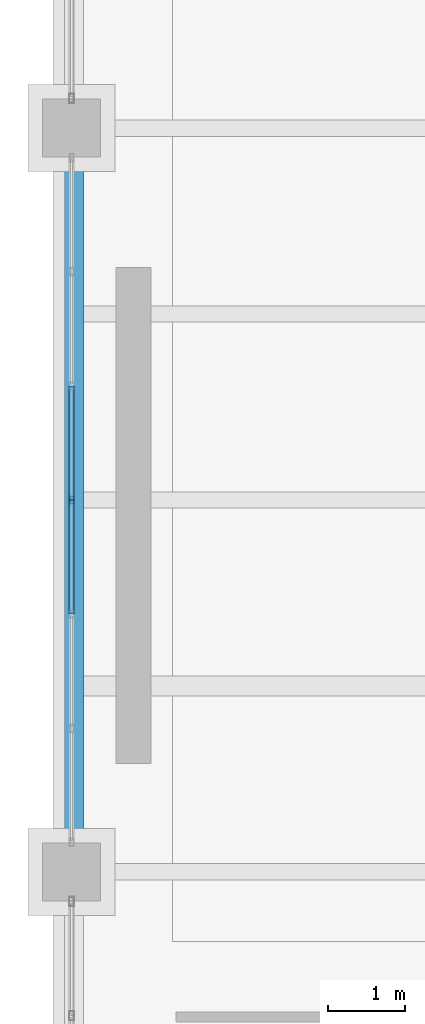
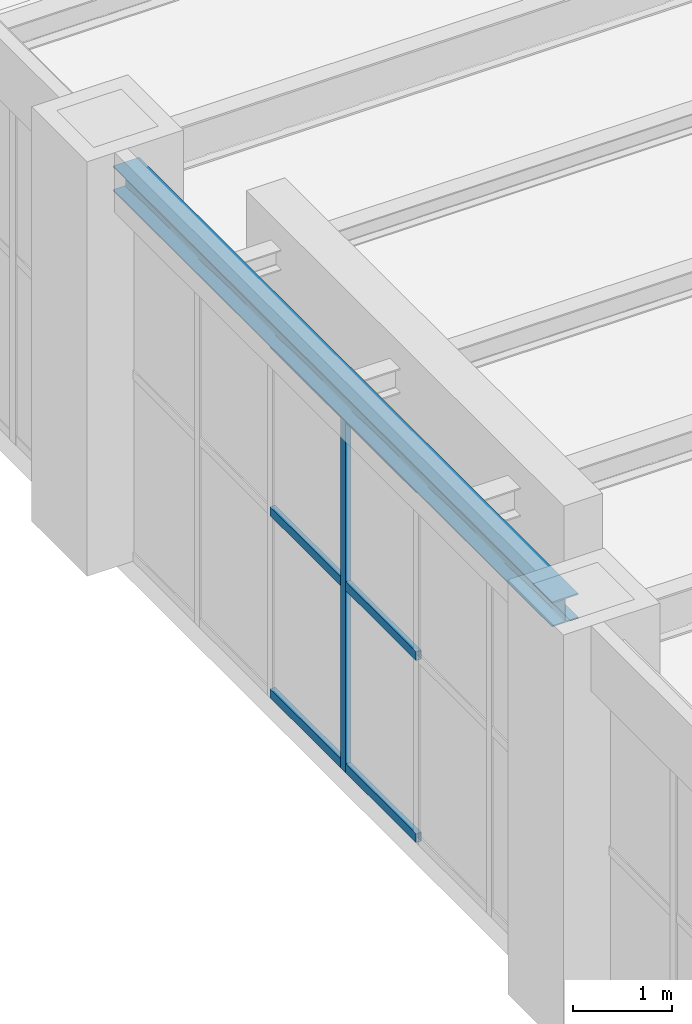
# One storey, part 9 of 174: 7 members, 1 beam, 1 element without a shape of its own.
"""IFC4 building model written with IfcOpenShell, lengths in metres."""

import ifcopenshell
import ifcopenshell.guid

model = None  # the IFC model being written
_history = None  # IfcOwnerHistory: only IFC2X3 demands one
_inside = {}  # id of a spatial element -> (the spatial element, [elements in it])
_under = {}  # id of a project, library or spatial element -> (it, [spatial elements below it])
_declared = {}  # id of a project -> (the project, [libraries it declares])
_typed = {}  # id of a type object -> (the type object, [elements of that type])
_made_of = {}  # id of a material, layer set ... -> (it, [elements and type objects made of it])


def new_model(schema):
    """Start an empty IFC model of exactly this schema.

    Asked for "IFC4X3", IfcOpenShell would pick the latest addendum, in which some entities
    have other attributes; the version numbers below select the first issue.
    IFC2X3 requires an IfcOwnerHistory on every rooted entity: one is made here for all.
    """
    global model, _history
    if schema == "IFC4X3":
        model = ifcopenshell.file(schema_version=(4, 3, 0, 0))
    else:
        model = ifcopenshell.file(schema=schema)
    _inside.clear()
    _under.clear()
    _declared.clear()
    _typed.clear()
    _made_of.clear()
    _history = None
    if model.schema == "IFC2X3":
        org = make("IfcOrganization", Name="unknown")
        user = make(
            "IfcPersonAndOrganization",
            ThePerson=make("IfcPerson", FamilyName="unknown"),
            TheOrganization=org,
        )
        app = make(
            "IfcApplication",
            ApplicationDeveloper=org,
            Version="unknown",
            ApplicationFullName="unknown",
            ApplicationIdentifier="unknown",
        )
        _history = make(
            "IfcOwnerHistory",
            OwningUser=user,
            OwningApplication=app,
            ChangeAction="ADDED",
            CreationDate=0,
        )
    return model


def make(cls, **values):
    """One entity of the class cls with the attributes given. An attribute that is None is left unset."""
    return model.create_entity(
        cls, **{name: value for name, value in values.items() if value is not None}
    )


def rooted(cls, **values):
    """An entity with a GlobalId (a new one), such as an element, a storey or a relation."""
    return make(cls, GlobalId=ifcopenshell.guid.new(), OwnerHistory=_history, **values)


def si_unit(unit_type, name, prefix=None):
    """IfcSIUnit, for example si_unit("LENGTHUNIT", "METRE", prefix="MILLI")."""
    return make("IfcSIUnit", UnitType=unit_type, Prefix=prefix, Name=name)


def assignment(units):
    """IfcUnitAssignment: the units of a project."""
    return None if units is None else make("IfcUnitAssignment", Units=units)


def point(xyz):
    """IfcCartesianPoint."""
    return None if xyz is None else make("IfcCartesianPoint", Coordinates=xyz)


def direction(xyz):
    """IfcDirection."""
    return None if xyz is None else make("IfcDirection", DirectionRatios=xyz)


def frame(location, z_axis=None, x_axis=None):
    """IfcAxis2Placement3D, a coordinate frame: its origin and axes. An axis left out is left unset."""
    return make(
        "IfcAxis2Placement3D",
        Location=point(location),
        Axis=direction(z_axis),
        RefDirection=direction(x_axis),
    )


def frame_2d(location, x_axis=None):
    """IfcAxis2Placement2D, a coordinate frame in the plane: its origin and x axis."""
    return make(
        "IfcAxis2Placement2D", Location=point(location), RefDirection=direction(x_axis)
    )


def origin():
    """The frame at (0, 0, 0) with its axes left unset."""
    return frame((0.0, 0.0, 0.0))


def origin_2d():
    """The frame at (0, 0) in the plane with its x axis left unset."""
    return frame_2d((0.0, 0.0))


def place(relative_to, where):
    """IfcLocalPlacement: puts the frame where relative to a parent placement (None: the world)."""
    return make(
        "IfcLocalPlacement", PlacementRelTo=relative_to, RelativePlacement=where
    )


def context(
    kind, dimensions, precision=None, world=None, true_north=None, identifier=None
):
    """IfcGeometricRepresentationContext, for example the 3D "Model" context."""
    return make(
        "IfcGeometricRepresentationContext",
        ContextIdentifier=identifier,
        ContextType=kind,
        CoordinateSpaceDimension=dimensions,
        Precision=precision,
        WorldCoordinateSystem=world,
        TrueNorth=true_north,
    )


def subcontext(parent, identifier, kind, view, scale=None):
    """IfcGeometricRepresentationSubContext, for example "Body" below "Model"."""
    return make(
        "IfcGeometricRepresentationSubContext",
        ContextIdentifier=identifier,
        ContextType=kind,
        ParentContext=parent,
        TargetScale=scale,
        TargetView=view,
    )


def project(units=None, contexts=None):
    """IfcProject with its units and contexts."""
    return rooted(
        "IfcProject",
        Name="project",
        RepresentationContexts=contexts,
        UnitsInContext=assignment(units),
    )


def spatial(cls, under=None, at=None, **own):
    """A site, building, storey or space (cls), placed at a placement, below another one or the project."""
    s = rooted(cls, ObjectPlacement=at, **own)
    if under is not None:
        _under.setdefault(under.id(), (under, []))[1].append(s)
    return s


def profile(cls, at=None, kind="AREA", **sizes):
    """A parametric profile (cls). Its sizes go by their IFC names, for example OverallWidth=200.0."""
    return make(cls, ProfileType=kind, Position=at, **sizes)


def hollow_rectangle(**sizes):
    """IfcRectangleHollowProfileDef."""
    return profile("IfcRectangleHollowProfileDef", **sizes)


def i_section(**sizes):
    """IfcIShapeProfileDef."""
    return profile("IfcIShapeProfileDef", **sizes)


def extrude(swept, where, along, depth):
    """IfcExtrudedAreaSolid: the profile swept, set in the frame where, extruded along a direction by depth."""
    return make(
        "IfcExtrudedAreaSolid",
        SweptArea=swept,
        Position=where,
        ExtrudedDirection=direction(along),
        Depth=depth,
    )


def shape(context_of_items, identifier, shape_type, items):
    """IfcShapeRepresentation: the items that make up one representation, for example the "Body"."""
    return make(
        "IfcShapeRepresentation",
        ContextOfItems=context_of_items,
        RepresentationIdentifier=identifier,
        RepresentationType=shape_type,
        Items=items,
    )


def material(Name=None, Category=None):
    """IfcMaterial."""
    return make("IfcMaterial", Name=Name, Category=Category)


def material_profile(
    of_material, cross_section, Name=None, Category=None, Priority=None
):
    """IfcMaterialProfile: a cross section and its material."""
    return make(
        "IfcMaterialProfile",
        Name=Name,
        Material=of_material,
        Profile=cross_section,
        Priority=Priority,
        Category=Category,
    )


def profile_set(profiles, Name=None, composite=None):
    """IfcMaterialProfileSet."""
    return make(
        "IfcMaterialProfileSet",
        Name=Name,
        MaterialProfiles=profiles,
        CompositeProfile=composite,
    )


def made_of(thing, what):
    """Note that an element or type object is made of a material, layer set ...; save() writes the relation."""
    if what is not None:
        _made_of.setdefault(what.id(), (what, []))[1].append(thing)
    return thing


def type_object(cls, material=None, **own):
    """A type object (cls), such as IfcWallType, which elements share."""
    return made_of(rooted(cls, **own), material)


def element(
    cls,
    number,
    at=None,
    inside=None,
    cuts=None,
    type_object=None,
    material=None,
    context=None,
    identifier="Body",
    shape_type=None,
    held_by="IfcProductDefinitionShape",
    body=None,
    shapes=None,
    **own,
):
    """One element of the class cls, such as IfcWall. Its Tag is "e" and its number.

    at: its placement. inside: the storey or other place that contains it. cuts: it is an
    opening in that element (IfcRelVoidsElement). A single representation is given by context,
    identifier, shape_type and body (its items); several are given by shapes. held_by: the class
    of the entity that holds the representations. save() writes the other relations.
    """
    e = rooted(cls, Tag="e%d" % number, ObjectPlacement=at, **own)
    if body is not None:
        shapes = [shape(context, identifier, shape_type, body)]
    if shapes is not None:
        e.Representation = make(held_by, Representations=shapes)
    if inside is not None:
        _inside.setdefault(inside.id(), (inside, []))[1].append(e)
    if cuts is not None:
        rooted(
            "IfcRelVoidsElement", RelatingBuildingElement=cuts, RelatedOpeningElement=e
        )
    if type_object is not None:
        _typed.setdefault(type_object.id(), (type_object, []))[1].append(e)
    return made_of(e, material)


def aggregate(whole, parts):
    """IfcRelAggregates: a whole, such as a stair, and the parts it consists of."""
    return rooted("IfcRelAggregates", RelatingObject=whole, RelatedObjects=parts)


def save(model, path):
    """Write the relations noted so far, then the file.

    IfcRelAggregates (storeys below a building ...), IfcRelContainedInSpatialStructure (elements
    in a storey), IfcRelDefinesByType, IfcRelAssociatesMaterial and IfcRelDeclares: one each for
    every whole, place, type object, material and project.
    """
    for whole, parts in _under.values():
        aggregate(whole, parts)
    for where, things in _inside.values():
        rooted(
            "IfcRelContainedInSpatialStructure",
            RelatedElements=things,
            RelatingStructure=where,
        )
    for kind, things in _typed.values():
        rooted("IfcRelDefinesByType", RelatedObjects=things, RelatingType=kind)
    for what, things in _made_of.values():
        rooted("IfcRelAssociatesMaterial", RelatedObjects=things, RelatingMaterial=what)
    for by, libraries in _declared.values():
        rooted("IfcRelDeclares", RelatingContext=by, RelatedDefinitions=libraries)
    model.write(path)


model = new_model("IFC4")

# Units and contexts
model_context = context("Model", 3, precision=1e-05, world=origin(), true_north=direction((0.0, 1.0)))
body_context = subcontext(model_context, "Body", "Model", "MODEL_VIEW")
ifc_project = project(units=[si_unit("LENGTHUNIT", "METRE"), si_unit("AREAUNIT", "SQUARE_METRE"), si_unit("VOLUMEUNIT", "CUBIC_METRE"), si_unit("PLANEANGLEUNIT", "RADIAN"), si_unit("MASSUNIT", "GRAM", prefix="KILO")], contexts=[model_context])

# Site, building, storey
site_placement = place(None, origin())
site = spatial("IfcSite", under=ifc_project, at=site_placement, CompositionType="ELEMENT")
building_placement = place(site_placement, origin())
building = spatial("IfcBuilding", under=site, at=building_placement, Name="Mavantir Sound Aquarium", CompositionType="ELEMENT")
storey_placement = place(building_placement, frame((0.0, 0.0, 5.39990234375)))
storey = spatial("IfcBuildingStorey", under=building, at=storey_placement, Name="L01", CompositionType="ELEMENT", Elevation=5.39990234375)

# Beam
ifc_material_1 = material(Name="Structural Steel ASTM A992 Gr50", Category="steel")
ifc_material_profile_1 = material_profile(ifc_material_1, i_section(OverallWidth=0.304931640625, OverallDepth=0.30810546875, WebThickness=0.010009765625, FlangeThickness=0.015380859375, FilletRadius=0.014892578125, at=origin_2d()), Name="W310X97")
ifc_profile_set_1 = profile_set([ifc_material_profile_1], Name="Structural Steel ASTM A992 Gr50")
beam_type = type_object("IfcBeamType", Name="BM-W310X97-E", PredefinedType="SPANDREL", material=ifc_profile_set_1)
beam_placement = place(storey_placement, frame((0.0, 9.97509765625, 4.64208984375), z_axis=(0.0, 1.0, 0.0), x_axis=(-1.0, 0.0, 0.0)))
element("IfcBeam", 1, at=beam_placement, inside=storey, type_object=beam_type, Name="L01 primary girder SS-31A 1223", PredefinedType="SPANDREL", context=body_context, shape_type="SweptSolid", body=[
    extrude(i_section(OverallWidth=0.304931640625, OverallDepth=0.30810546875, WebThickness=0.010009765625, FlangeThickness=0.015380859375, FilletRadius=0.014892578125, at=origin_2d()), origin(), (0.0, 0.0, 1.0), 8.849853515625),
])

# Curtain wall, members
ifc_material_2 = material(Name="Anodised Marine Aluminium and Low-E Glass", Category="aluminium")
curtain_wall_type = type_object("IfcCurtainWallType", Name="CW-T03", PredefinedType="USERDEFINED", material=ifc_material_2)
curtain_wall_placement = place(storey_placement, origin())
curtain_wall = element("IfcCurtainWall", 2, at=curtain_wall_placement, inside=storey, type_object=curtain_wall_type, Name="L01 unitised curtain wall CW-03 75", ObjectType="UNITISED GLAZING", PredefinedType="USERDEFINED")
ifc_material_3 = material(Name="Anodised Marine Aluminium 6063-T6", Category="aluminium")
ifc_material_profile_2 = material_profile(ifc_material_3, hollow_rectangle(XDim=0.06005859375, YDim=0.10009765625, WallThickness=0.00390625, at=origin_2d()), Name="ALU-MULLION-100X60")
ifc_profile_set_2 = profile_set([ifc_material_profile_2], Name="Anodised Marine Aluminium 6063-T6")
member_type_1 = type_object("IfcMemberType", Name="CW-MUL-100", PredefinedType="MULLION", material=ifc_profile_set_2)
member_1_placement = place(storey_placement, frame((0.0, 14.39990234375, 0.0), z_axis=(0.0, 0.0, 1.0), x_axis=(1.0, 0.0, 0.0)))
member_1 = element("IfcMember", 3, at=member_1_placement, type_object=member_type_1, Name="CW-L01-075 vertical mullion 4", PredefinedType="MULLION", context=body_context, shape_type="SweptSolid", body=[
    extrude(hollow_rectangle(XDim=0.06005859375, YDim=0.10009765625, WallThickness=0.00390625, at=origin_2d()), origin(), (0.0, 0.0, 1.0), 4.4130859375),
])
ifc_material_profile_3 = material_profile(ifc_material_3, hollow_rectangle(XDim=0.06005859375, YDim=0.110107421875, WallThickness=0.00390625, at=origin_2d()), Name="ALU-TRANSOM-110X60")
ifc_profile_set_3 = profile_set([ifc_material_profile_3], Name="Anodised Marine Aluminium 6063-T6")
member_type_2 = type_object("IfcMemberType", Name="CW-TRN-110", PredefinedType="USERDEFINED", material=ifc_profile_set_3)
member_2_placement = place(storey_placement, frame((0.0, 15.872314453125, 0.05517578125), z_axis=(0.0, -1.0, 0.0), x_axis=(1.0, 0.0, 0.0)))
member_2 = element("IfcMember", 4, at=member_2_placement, type_object=member_type_2, Name="CW-L01-075 transom 3.1", ObjectType="TRANSOM", PredefinedType="USERDEFINED", context=body_context, shape_type="SweptSolid", body=[
    extrude(hollow_rectangle(XDim=0.06005859375, YDim=0.110107421875, WallThickness=0.00390625, at=origin_2d()), origin(), (0.0, 0.0, 1.0), 1.472412109375),
])
member_3_placement = place(storey_placement, frame((0.0, 15.872314453125, 2.294921875), z_axis=(0.0, -1.0, 0.0), x_axis=(1.0, 0.0, 0.0)))
member_3 = element("IfcMember", 5, at=member_3_placement, type_object=member_type_2, Name="CW-L01-075 transom 3.2", ObjectType="TRANSOM", PredefinedType="USERDEFINED", context=body_context, shape_type="SweptSolid", body=[
    extrude(hollow_rectangle(XDim=0.06005859375, YDim=0.110107421875, WallThickness=0.00390625, at=origin_2d()), origin(), (0.0, 0.0, 1.0), 1.472412109375),
])
member_4_placement = place(storey_placement, frame((0.0, 15.872314453125, 4.358154296875), z_axis=(0.0, -1.0, 0.0), x_axis=(1.0, 0.0, 0.0)))
member_4 = element("IfcMember", 6, at=member_4_placement, type_object=member_type_2, Name="CW-L01-075 transom 3.3", ObjectType="TRANSOM", PredefinedType="USERDEFINED", context=body_context, shape_type="SweptSolid", body=[
    extrude(hollow_rectangle(XDim=0.06005859375, YDim=0.110107421875, WallThickness=0.00390625, at=origin_2d()), origin(), (0.0, 0.0, 1.0), 1.472412109375),
])
member_5_placement = place(storey_placement, frame((0.0, 14.39990234375, 0.05517578125), z_axis=(0.0, -1.0, 0.0), x_axis=(1.0, 0.0, 0.0)))
member_5 = element("IfcMember", 7, at=member_5_placement, type_object=member_type_2, Name="CW-L01-075 transom 4.1", ObjectType="TRANSOM", PredefinedType="USERDEFINED", context=body_context, shape_type="SweptSolid", body=[
    extrude(hollow_rectangle(XDim=0.06005859375, YDim=0.110107421875, WallThickness=0.00390625, at=origin_2d()), origin(), (0.0, 0.0, 1.0), 1.47216796875),
])
member_6_placement = place(storey_placement, frame((0.0, 14.39990234375, 2.294921875), z_axis=(0.0, -1.0, 0.0), x_axis=(1.0, 0.0, 0.0)))
member_6 = element("IfcMember", 8, at=member_6_placement, type_object=member_type_2, Name="CW-L01-075 transom 4.2", ObjectType="TRANSOM", PredefinedType="USERDEFINED", context=body_context, shape_type="SweptSolid", body=[
    extrude(hollow_rectangle(XDim=0.06005859375, YDim=0.110107421875, WallThickness=0.00390625, at=origin_2d()), origin(), (0.0, 0.0, 1.0), 1.47216796875),
])
member_7_placement = place(storey_placement, frame((0.0, 14.39990234375, 4.358154296875), z_axis=(0.0, -1.0, 0.0), x_axis=(1.0, 0.0, 0.0)))
member_7 = element("IfcMember", 9, at=member_7_placement, type_object=member_type_2, Name="CW-L01-075 transom 4.3", ObjectType="TRANSOM", PredefinedType="USERDEFINED", context=body_context, shape_type="SweptSolid", body=[
    extrude(hollow_rectangle(XDim=0.06005859375, YDim=0.110107421875, WallThickness=0.00390625, at=origin_2d()), origin(), (0.0, 0.0, 1.0), 1.47216796875),
])
aggregate(curtain_wall, [member_1, member_2, member_3, member_4, member_5, member_6, member_7])

save(model, "model.ifc")
